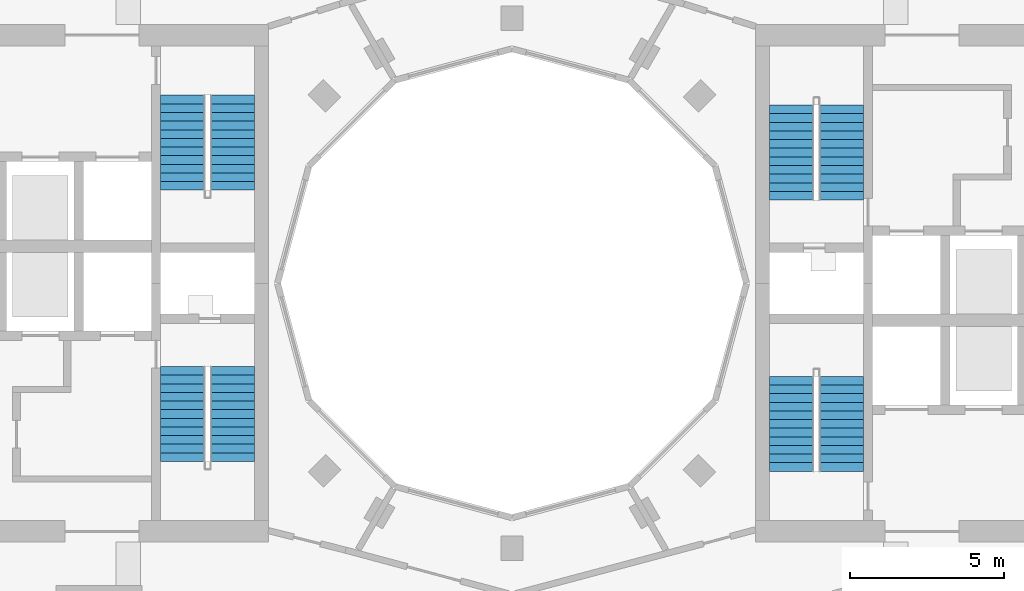
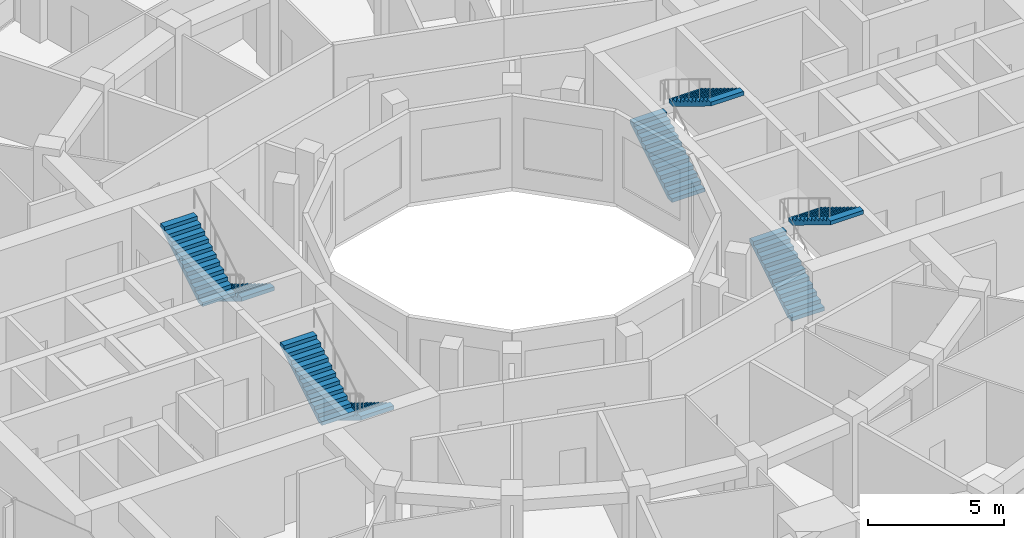
# One storey, part 13 of 15: 8 stair flights, 4 elements without a shape of their own.
"""IFC4 building model written with IfcOpenShell, lengths in metres."""

from ifc_helpers import new_model, si_unit, direction, frame, origin, place, context, subcontext, project, spatial, polyline, outline, extrude, material, layer, layer_set, type_object, element, aggregate, save


model = new_model("IFC4")

# Units and contexts
model_context = context("Model", 3, precision=1e-05, world=origin(), true_north=direction((0.0, 1.0)))
body_context = subcontext(model_context, "Body", "Model", "MODEL_VIEW")
ifc_project = project(units=[si_unit("LENGTHUNIT", "METRE"), si_unit("AREAUNIT", "SQUARE_METRE"), si_unit("VOLUMEUNIT", "CUBIC_METRE"), si_unit("PLANEANGLEUNIT", "RADIAN"), si_unit("MASSUNIT", "GRAM", prefix="KILO")], contexts=[model_context])

# Site, building, storey
site_placement = place(None, origin())
site = spatial("IfcSite", under=ifc_project, at=site_placement, CompositionType="ELEMENT")
building_placement = place(site_placement, origin())
building = spatial("IfcBuilding", under=site, at=building_placement, Name="Torre Brocal", CompositionType="ELEMENT")
storey_placement = place(building_placement, frame((0.0, 0.0, 170.0)))
storey = spatial("IfcBuildingStorey", under=building, at=storey_placement, Name="L39", CompositionType="ELEMENT", Elevation=170.0)

# Stair, stair flights
ifc_material_1 = material(Name="Concrete C50", Category="concrete")
stair_type = type_object("IfcStairType", Name="EXIT STAIR", PredefinedType="HALF_TURN_STAIR", material=ifc_material_1)
stair_1_placement = place(storey_placement, origin())
stair_1 = element("IfcStair", 1, at=stair_1_placement, inside=storey, type_object=stair_type, Name="EXIT STAIR ST1", PredefinedType="HALF_TURN_STAIR")
ifc_material_2 = material(Name="Concrete C50", Category="concrete")
ifc_layer = layer(ifc_material_2, 0.14990234375)
ifc_layer_set = layer_set([ifc_layer], Name="Concrete C50")
stair_flight_type = type_object("IfcStairFlightType", Name="STAIR FLIGHT", PredefinedType="STRAIGHT", material=ifc_layer_set)
stair_flight_1_placement = place(storey_placement, frame((89.050048828125, 77.699951171875, 0.0), z_axis=(0.0, 0.0, 1.0), x_axis=(0.0, 1.0, 0.0)))
stair_flight_1 = element("IfcStairFlight", 2, at=stair_flight_1_placement, type_object=stair_flight_type, Name="ST1 flight 1", NumberOfRisers=12, NumberOfTreads=11, PredefinedType="STRAIGHT", RiserHeight=0.170833333, TreadLength=0.28, context=body_context, shape_type="SweptSolid", body=[
    extrude(outline(polyline([(0.0, 0.0), (0.0, 0.1708984375), (0.280029296875, 0.1708984375), (0.280029296875, 0.341552734375), (0.56005859375, 0.341552734375), (0.56005859375, 0.512451171875), (0.840087890625, 0.512451171875), (0.840087890625, 0.683349609375), (1.1201171875, 0.683349609375), (1.1201171875, 0.854248046875), (1.39990234375, 0.854248046875), (1.39990234375, 1.02490234375), (1.679931640625, 1.02490234375), (1.679931640625, 1.19580078125), (1.9599609375, 1.19580078125), (1.9599609375, 1.36669921875), (2.239990234375, 1.36669921875), (2.239990234375, 1.53759765625), (2.52001953125, 1.53759765625), (2.52001953125, 1.708251953125), (2.800048828125, 1.708251953125), (2.800048828125, 1.879150390625), (3.080078125, 1.879150390625), (3.080078125, 2.050048828125), (3.080078125, 1.70361328125), (0.287841796875, 0.0), (0.0, 0.0)])), frame((0.0, 0.699951171875, 0.0), z_axis=(0.0, -1.0, 0.0), x_axis=(1.0, 0.0, 0.0)), (0.0, 0.0, 1.0), 1.39990234375),
])
stair_flight_2_placement = place(storey_placement, frame((90.699951171875, 80.780029296875, 2.050048828125), z_axis=(0.0, 0.0, 1.0), x_axis=(0.0, -1.0, 0.0)))
stair_flight_2 = element("IfcStairFlight", 3, at=stair_flight_2_placement, type_object=stair_flight_type, Name="ST1 flight 2", NumberOfRisers=12, NumberOfTreads=11, PredefinedType="STRAIGHT", RiserHeight=0.170833333, TreadLength=0.28, context=body_context, shape_type="SweptSolid", body=[
    extrude(outline(polyline([(0.0, 0.0), (0.0, 0.1708984375), (0.280029296875, 0.1708984375), (0.280029296875, 0.341552734375), (0.56005859375, 0.341552734375), (0.56005859375, 0.512451171875), (0.840087890625, 0.512451171875), (0.840087890625, 0.683349609375), (1.1201171875, 0.683349609375), (1.1201171875, 0.854248046875), (1.39990234375, 0.854248046875), (1.39990234375, 1.02490234375), (1.679931640625, 1.02490234375), (1.679931640625, 1.19580078125), (1.9599609375, 1.19580078125), (1.9599609375, 1.36669921875), (2.239990234375, 1.36669921875), (2.239990234375, 1.53759765625), (2.52001953125, 1.53759765625), (2.52001953125, 1.708251953125), (2.800048828125, 1.708251953125), (2.800048828125, 1.879150390625), (3.080078125, 1.879150390625), (3.080078125, 2.050048828125), (3.080078125, 1.70361328125), (0.287841796875, 0.0), (0.0, 0.0)])), frame((0.0, 0.699951171875, 0.0), z_axis=(0.0, -1.0, 0.0), x_axis=(1.0, 0.0, 0.0)), (0.0, 0.0, 1.0), 1.39990234375),
])
aggregate(stair_1, [stair_flight_1, stair_flight_2])

stair_2_placement = place(storey_placement, origin())
stair_2 = element("IfcStair", 4, at=stair_2_placement, inside=storey, type_object=stair_type, Name="EXIT STAIR ST2", PredefinedType="HALF_TURN_STAIR")
stair_flight_3_placement = place(storey_placement, frame((89.050048828125, 68.89990234375, 0.0), z_axis=(0.0, 0.0, 1.0), x_axis=(0.0, 1.0, 0.0)))
stair_flight_3 = element("IfcStairFlight", 5, at=stair_flight_3_placement, type_object=stair_flight_type, Name="ST2 flight 1", NumberOfRisers=12, NumberOfTreads=11, PredefinedType="STRAIGHT", RiserHeight=0.170833333, TreadLength=0.28, context=body_context, shape_type="SweptSolid", body=[
    extrude(outline(polyline([(0.0, 0.0), (0.0, 0.1708984375), (0.280029296875, 0.1708984375), (0.280029296875, 0.341552734375), (0.56005859375, 0.341552734375), (0.56005859375, 0.512451171875), (0.840087890625, 0.512451171875), (0.840087890625, 0.683349609375), (1.1201171875, 0.683349609375), (1.1201171875, 0.854248046875), (1.39990234375, 0.854248046875), (1.39990234375, 1.02490234375), (1.679931640625, 1.02490234375), (1.679931640625, 1.19580078125), (1.9599609375, 1.19580078125), (1.9599609375, 1.36669921875), (2.239990234375, 1.36669921875), (2.239990234375, 1.53759765625), (2.52001953125, 1.53759765625), (2.52001953125, 1.708251953125), (2.800048828125, 1.708251953125), (2.800048828125, 1.879150390625), (3.080078125, 1.879150390625), (3.080078125, 2.050048828125), (3.080078125, 1.70361328125), (0.287841796875, 0.0), (0.0, 0.0)])), frame((0.0, 0.699951171875, 0.0), z_axis=(0.0, -1.0, 0.0), x_axis=(1.0, 0.0, 0.0)), (0.0, 0.0, 1.0), 1.39990234375),
])
stair_flight_4_placement = place(storey_placement, frame((90.699951171875, 71.97998046875, 2.050048828125), z_axis=(0.0, 0.0, 1.0), x_axis=(0.0, -1.0, 0.0)))
stair_flight_4 = element("IfcStairFlight", 6, at=stair_flight_4_placement, type_object=stair_flight_type, Name="ST2 flight 2", NumberOfRisers=12, NumberOfTreads=11, PredefinedType="STRAIGHT", RiserHeight=0.170833333, TreadLength=0.28, context=body_context, shape_type="SweptSolid", body=[
    extrude(outline(polyline([(0.0, 0.0), (0.0, 0.1708984375), (0.280029296875, 0.1708984375), (0.280029296875, 0.341552734375), (0.56005859375, 0.341552734375), (0.56005859375, 0.512451171875), (0.840087890625, 0.512451171875), (0.840087890625, 0.683349609375), (1.1201171875, 0.683349609375), (1.1201171875, 0.854248046875), (1.39990234375, 0.854248046875), (1.39990234375, 1.02490234375), (1.679931640625, 1.02490234375), (1.679931640625, 1.19580078125), (1.9599609375, 1.19580078125), (1.9599609375, 1.36669921875), (2.239990234375, 1.36669921875), (2.239990234375, 1.53759765625), (2.52001953125, 1.53759765625), (2.52001953125, 1.708251953125), (2.800048828125, 1.708251953125), (2.800048828125, 1.879150390625), (3.080078125, 1.879150390625), (3.080078125, 2.050048828125), (3.080078125, 1.70361328125), (0.287841796875, 0.0), (0.0, 0.0)])), frame((0.0, 0.699951171875, 0.0), z_axis=(0.0, -1.0, 0.0), x_axis=(1.0, 0.0, 0.0)), (0.0, 0.0, 1.0), 1.39990234375),
])
aggregate(stair_2, [stair_flight_3, stair_flight_4])

stair_3_placement = place(storey_placement, origin())
stair_3 = element("IfcStair", 7, at=stair_3_placement, inside=storey, type_object=stair_type, Name="EXIT STAIR ST3", PredefinedType="HALF_TURN_STAIR")
stair_flight_5_placement = place(storey_placement, frame((70.949951171875, 72.300048828125, 0.0), z_axis=(0.0, 0.0, 1.0), x_axis=(0.0, -1.0, 0.0)))
stair_flight_5 = element("IfcStairFlight", 8, at=stair_flight_5_placement, type_object=stair_flight_type, Name="ST3 flight 1", NumberOfRisers=12, NumberOfTreads=11, PredefinedType="STRAIGHT", RiserHeight=0.170833333, TreadLength=0.28, context=body_context, shape_type="SweptSolid", body=[
    extrude(outline(polyline([(0.0, 0.0), (0.0, 0.1708984375), (0.280029296875, 0.1708984375), (0.280029296875, 0.341552734375), (0.56005859375, 0.341552734375), (0.56005859375, 0.512451171875), (0.840087890625, 0.512451171875), (0.840087890625, 0.683349609375), (1.1201171875, 0.683349609375), (1.1201171875, 0.854248046875), (1.39990234375, 0.854248046875), (1.39990234375, 1.02490234375), (1.679931640625, 1.02490234375), (1.679931640625, 1.19580078125), (1.9599609375, 1.19580078125), (1.9599609375, 1.36669921875), (2.239990234375, 1.36669921875), (2.239990234375, 1.53759765625), (2.52001953125, 1.53759765625), (2.52001953125, 1.708251953125), (2.800048828125, 1.708251953125), (2.800048828125, 1.879150390625), (3.080078125, 1.879150390625), (3.080078125, 2.050048828125), (3.080078125, 1.70361328125), (0.287841796875, 0.0), (0.0, 0.0)])), frame((0.0, 0.699951171875, 0.0), z_axis=(0.0, -1.0, 0.0), x_axis=(1.0, 0.0, 0.0)), (0.0, 0.0, 1.0), 1.39990234375),
])
stair_flight_6_placement = place(storey_placement, frame((69.300048828125, 69.219970703125, 2.050048828125), z_axis=(0.0, 0.0, 1.0), x_axis=(0.0, 1.0, 0.0)))
stair_flight_6 = element("IfcStairFlight", 9, at=stair_flight_6_placement, type_object=stair_flight_type, Name="ST3 flight 2", NumberOfRisers=12, NumberOfTreads=11, PredefinedType="STRAIGHT", RiserHeight=0.170833333, TreadLength=0.28, context=body_context, shape_type="SweptSolid", body=[
    extrude(outline(polyline([(0.0, 0.0), (0.0, 0.1708984375), (0.280029296875, 0.1708984375), (0.280029296875, 0.341552734375), (0.56005859375, 0.341552734375), (0.56005859375, 0.512451171875), (0.840087890625, 0.512451171875), (0.840087890625, 0.683349609375), (1.1201171875, 0.683349609375), (1.1201171875, 0.854248046875), (1.39990234375, 0.854248046875), (1.39990234375, 1.02490234375), (1.679931640625, 1.02490234375), (1.679931640625, 1.19580078125), (1.9599609375, 1.19580078125), (1.9599609375, 1.36669921875), (2.239990234375, 1.36669921875), (2.239990234375, 1.53759765625), (2.52001953125, 1.53759765625), (2.52001953125, 1.708251953125), (2.800048828125, 1.708251953125), (2.800048828125, 1.879150390625), (3.080078125, 1.879150390625), (3.080078125, 2.050048828125), (3.080078125, 1.70361328125), (0.287841796875, 0.0), (0.0, 0.0)])), frame((0.0, 0.699951171875, 0.0), z_axis=(0.0, -1.0, 0.0), x_axis=(1.0, 0.0, 0.0)), (0.0, 0.0, 1.0), 1.39990234375),
])
aggregate(stair_3, [stair_flight_5, stair_flight_6])

stair_4_placement = place(storey_placement, origin())
stair_4 = element("IfcStair", 10, at=stair_4_placement, inside=storey, type_object=stair_type, Name="EXIT STAIR ST4", PredefinedType="HALF_TURN_STAIR")
stair_flight_7_placement = place(storey_placement, frame((70.949951171875, 81.10009765625, 0.0), z_axis=(0.0, 0.0, 1.0), x_axis=(0.0, -1.0, 0.0)))
stair_flight_7 = element("IfcStairFlight", 11, at=stair_flight_7_placement, type_object=stair_flight_type, Name="ST4 flight 1", NumberOfRisers=12, NumberOfTreads=11, PredefinedType="STRAIGHT", RiserHeight=0.170833333, TreadLength=0.28, context=body_context, shape_type="SweptSolid", body=[
    extrude(outline(polyline([(0.0, 0.0), (0.0, 0.1708984375), (0.280029296875, 0.1708984375), (0.280029296875, 0.341552734375), (0.56005859375, 0.341552734375), (0.56005859375, 0.512451171875), (0.840087890625, 0.512451171875), (0.840087890625, 0.683349609375), (1.1201171875, 0.683349609375), (1.1201171875, 0.854248046875), (1.39990234375, 0.854248046875), (1.39990234375, 1.02490234375), (1.679931640625, 1.02490234375), (1.679931640625, 1.19580078125), (1.9599609375, 1.19580078125), (1.9599609375, 1.36669921875), (2.239990234375, 1.36669921875), (2.239990234375, 1.53759765625), (2.52001953125, 1.53759765625), (2.52001953125, 1.708251953125), (2.800048828125, 1.708251953125), (2.800048828125, 1.879150390625), (3.080078125, 1.879150390625), (3.080078125, 2.050048828125), (3.080078125, 1.70361328125), (0.287841796875, 0.0), (0.0, 0.0)])), frame((0.0, 0.699951171875, 0.0), z_axis=(0.0, -1.0, 0.0), x_axis=(1.0, 0.0, 0.0)), (0.0, 0.0, 1.0), 1.39990234375),
])
stair_flight_8_placement = place(storey_placement, frame((69.300048828125, 78.02001953125, 2.050048828125), z_axis=(0.0, 0.0, 1.0), x_axis=(0.0, 1.0, 0.0)))
stair_flight_8 = element("IfcStairFlight", 12, at=stair_flight_8_placement, type_object=stair_flight_type, Name="ST4 flight 2", NumberOfRisers=12, NumberOfTreads=11, PredefinedType="STRAIGHT", RiserHeight=0.170833333, TreadLength=0.28, context=body_context, shape_type="SweptSolid", body=[
    extrude(outline(polyline([(0.0, 0.0), (0.0, 0.1708984375), (0.280029296875, 0.1708984375), (0.280029296875, 0.341552734375), (0.56005859375, 0.341552734375), (0.56005859375, 0.512451171875), (0.840087890625, 0.512451171875), (0.840087890625, 0.683349609375), (1.1201171875, 0.683349609375), (1.1201171875, 0.854248046875), (1.39990234375, 0.854248046875), (1.39990234375, 1.02490234375), (1.679931640625, 1.02490234375), (1.679931640625, 1.19580078125), (1.9599609375, 1.19580078125), (1.9599609375, 1.36669921875), (2.239990234375, 1.36669921875), (2.239990234375, 1.53759765625), (2.52001953125, 1.53759765625), (2.52001953125, 1.708251953125), (2.800048828125, 1.708251953125), (2.800048828125, 1.879150390625), (3.080078125, 1.879150390625), (3.080078125, 2.050048828125), (3.080078125, 1.70361328125), (0.287841796875, 0.0), (0.0, 0.0)])), frame((0.0, 0.699951171875, 0.0), z_axis=(0.0, -1.0, 0.0), x_axis=(1.0, 0.0, 0.0)), (0.0, 0.0, 1.0), 1.39990234375),
])
aggregate(stair_4, [stair_flight_7, stair_flight_8])

save(model, "model.ifc")
